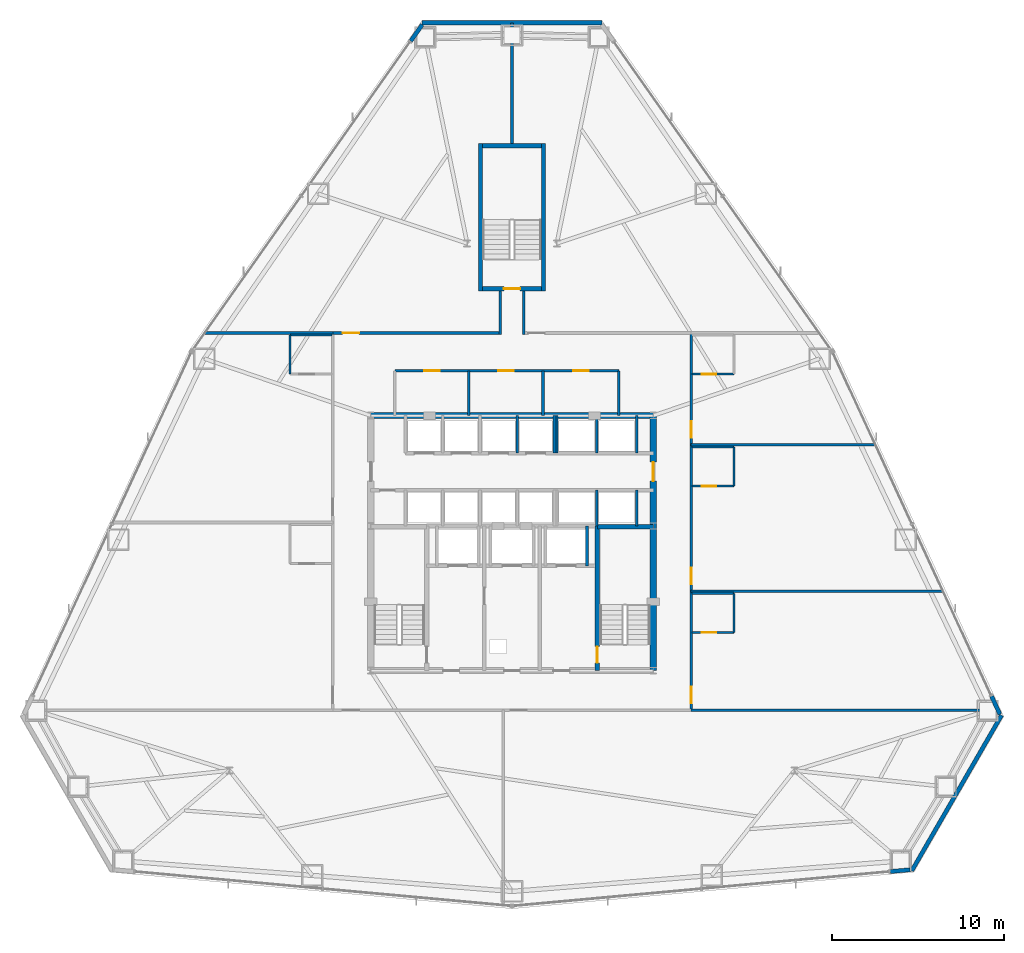
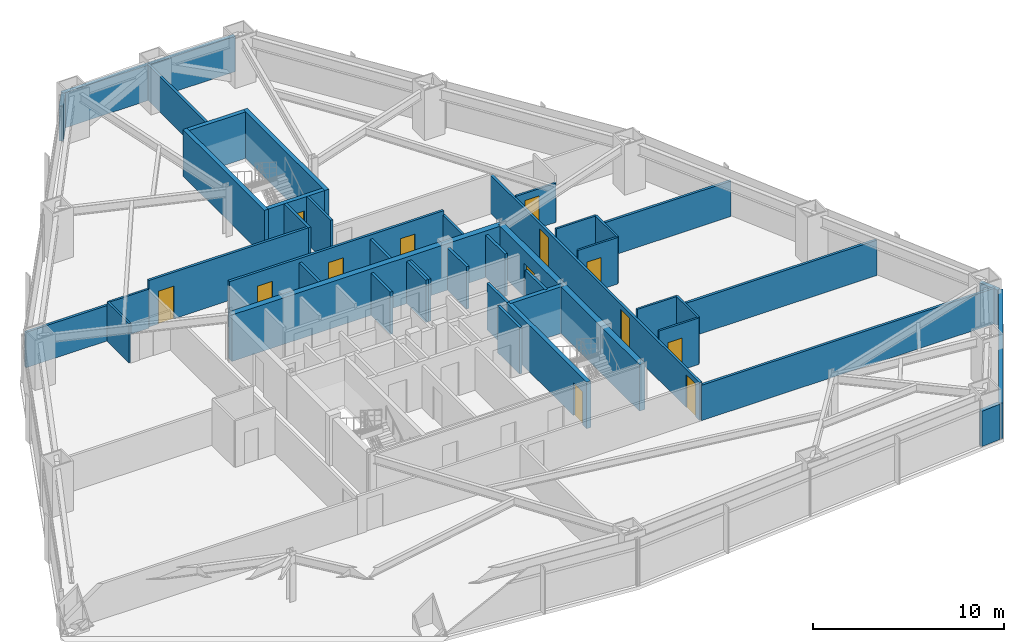
# One storey, part 10 of 12: 43 walls, 13 doors, 13 openings.
"""IFC4 building model written with IfcOpenShell, lengths in metres."""

from ifc_helpers import new_model, si_unit, direction, frame, frame_2d, origin, place, context, subcontext, project, spatial, rectangle, extrude, material, layer, layer_set, type_object, element, fill, save


model = new_model("IFC4")

# Units and contexts
model_context = context("Model", 3, precision=1e-05, world=origin(), true_north=direction((0.0, 1.0)))
body_context = subcontext(model_context, "Body", "Model", "MODEL_VIEW")
ifc_project = project(units=[si_unit("LENGTHUNIT", "METRE"), si_unit("AREAUNIT", "SQUARE_METRE"), si_unit("VOLUMEUNIT", "CUBIC_METRE"), si_unit("PLANEANGLEUNIT", "RADIAN"), si_unit("MASSUNIT", "GRAM", prefix="KILO")], contexts=[model_context])

# Site, building, storey
site_placement = place(None, origin())
site = spatial("IfcSite", under=ifc_project, at=site_placement, CompositionType="ELEMENT")
building_placement = place(site_placement, origin())
building = spatial("IfcBuilding", under=site, at=building_placement, Name="Varakhsha Concourse Tower", CompositionType="ELEMENT")
storey_placement = place(building_placement, frame((0.0, 0.0, 40.0)))
storey = spatial("IfcBuildingStorey", under=building, at=storey_placement, Name="L10", CompositionType="ELEMENT", Elevation=40.0)

# Wall
ifc_material_1 = material(Name="Concrete fc 65 MPa", Category="concrete")
ifc_layer_1 = layer(ifc_material_1, 0.35009765625, Name="WL-CORE-350")
ifc_layer_set_1 = layer_set([ifc_layer_1], Name="Concrete fc 65 MPa")
wall_type_1 = type_object("IfcWallType", Name="WL-CORE-350", PredefinedType="SHEAR", material=ifc_layer_set_1)
wall_1_placement = place(storey_placement, frame((31.800048828125, 31.199951171875, 0.0), z_axis=(0.0, 0.0, 1.0), x_axis=(1.0, 0.0, 0.0)))
element("IfcWall", 1, at=wall_1_placement, inside=storey, type_object=wall_type_1, Name="L10 Wall CWALL-N-L10", PredefinedType="SHEAR", context=body_context, shape_type="SweptSolid", body=[
    extrude(rectangle(XDim=16.39990234375, YDim=0.35009765625, at=frame_2d((8.199951171875, 0.0))), origin(), (0.0, 0.0, 1.0), 2.97998046875),
])

# Wall, opening, door
wall_2_placement = place(storey_placement, frame((48.199951171875, 16.39990234375, 0.0), z_axis=(0.0, 0.0, 1.0), x_axis=(0.0, 1.0, 0.0)))
wall_2 = element("IfcWall", 2, at=wall_2_placement, inside=storey, type_object=wall_type_1, Name="L10 Wall CWALL-E-L10", PredefinedType="SHEAR", context=body_context, shape_type="SweptSolid", body=[
    extrude(rectangle(XDim=14.800048828125, YDim=0.35009765625, at=frame_2d((7.39990234375, 0.0))), origin(), (0.0, 0.0, 1.0), 2.97998046875),
])
opening_1_placement = place(wall_2_placement, frame((11.0, 0.0, 0.0)))
opening_1 = element("IfcOpeningElement", 3, at=opening_1_placement, cuts=wall_2, Name="Opening DL-01", PredefinedType="OPENING", context=body_context, shape_type="SweptSolid", body=[
    extrude(rectangle(XDim=1.10009765625, YDim=2.14990234375, at=frame_2d((0.550048828125, 1.074951171875))), frame((0.0, 0.18505859375, 0.0), z_axis=(0.0, -1.0, 0.0), x_axis=(1.0, 0.0, 0.0)), (0.0, 0.0, 1.0), 0.3701171875),
])
ifc_material_2 = material(Name="Anodised Bronze Architectural Aluminium AA 6063-T6", Category="aluminium")
door_type_1 = type_object("IfcDoorType", Name="DR-LOB-1100", OperationType="NOTDEFINED", PredefinedType="DOOR", material=ifc_material_2)
door_1_placement = place(opening_1_placement, origin())
door_1 = element("IfcDoor", 4, at=door_1_placement, inside=storey, type_object=door_type_1, Name="L10 Lift Lobby East Concourse Door", OperationType="SINGLE_SWING_RIGHT", OverallHeight=2.14990234375, OverallWidth=1.10009765625, PredefinedType="DOOR", context=body_context, shape_type="SweptSolid", body=[
    extrude(rectangle(XDim=1.10009765625, YDim=2.14990234375, at=frame_2d((0.550048828125, 1.074951171875))), frame((0.0, 0.02490234375, 0.0), z_axis=(0.0, -1.0, 0.0), x_axis=(1.0, 0.0, 0.0)), (0.0, 0.0, 1.0), 0.050048828125),
])
fill(opening_1, door_1)

# Walls
ifc_material_3 = material(Name="Concrete fc 45 MPa", Category="concrete")
ifc_layer_2 = layer(ifc_material_3, 0.239990234375, Name="WL-EXT-CRN-240")
ifc_layer_set_2 = layer_set([ifc_layer_2], Name="Concrete fc 45 MPa")
wall_type_2 = type_object("IfcWallType", Name="WL-EXT-CRN-240", PredefinedType="SHEAR", material=ifc_layer_set_2)
wall_3_placement = place(storey_placement, frame((34.78564453125, 54.008544921875, 0.0), z_axis=(0.0, 0.0, 1.0), x_axis=(1.0, 0.0, 0.0)))
element("IfcWall", 5, at=wall_3_placement, inside=storey, type_object=wall_type_2, Name="L10 Chamfer Wind-Corner Insulated Wall F1", PredefinedType="SHEAR", context=body_context, shape_type="SweptSolid", body=[
    extrude(rectangle(XDim=10.4287109375, YDim=0.239990234375, at=frame_2d((5.21435546875, 0.0))), origin(), (0.0, 0.0, 1.0), 2.262939453125),
])
wall_4_placement = place(storey_placement, frame((34.78955078125, 53.896484375, 0.0), z_axis=(0.0, 0.0, 1.0), x_axis=(-0.576559495442, -0.817055168404, 0.0)))
element("IfcWall", 6, at=wall_4_placement, inside=storey, type_object=wall_type_2, Name="L10 Wind-Corner Shoulder Wall F2", PredefinedType="SHEAR", context=body_context, shape_type="SweptSolid", body=[
    extrude(rectangle(XDim=1.162353515625, YDim=0.239990234375, at=frame_2d((0.5810546875, 0.0))), origin(), (0.0, 0.0, 1.0), 2.262939453125),
])
wall_5_placement = place(storey_placement, frame((61.955078125, 4.73388671875, 0.0), z_axis=(0.0, 0.0, 1.0), x_axis=(0.995875974384, 0.090725099311, 0.0)))
element("IfcWall", 7, at=wall_5_placement, inside=storey, type_object=wall_type_2, Name="L10 Wind-Corner Shoulder Wall F6", PredefinedType="SHEAR", context=body_context, shape_type="SweptSolid", body=[
    extrude(rectangle(XDim=1.16259765625, YDim=0.239990234375, at=frame_2d((0.581298828125, 0.0))), origin(), (0.0, 0.0, 1.0), 2.262939453125),
])
wall_6_placement = place(storey_placement, frame((68.422119140625, 13.811279296875, 0.0), z_axis=(0.0, 0.0, 1.0), x_axis=(-0.500011568057, -0.866018724861, 0.0)))
element("IfcWall", 8, at=wall_6_placement, inside=storey, type_object=wall_type_2, Name="L10 Chamfer Wind-Corner Insulated Wall F7", PredefinedType="SHEAR", context=body_context, shape_type="SweptSolid", body=[
    extrude(rectangle(XDim=10.428466796875, YDim=0.239990234375, at=frame_2d((5.21435546875, 0.0))), origin(), (0.0, 0.0, 1.0), 2.262939453125),
])
wall_7_placement = place(storey_placement, frame((68.3232421875, 13.864013671875, 0.0), z_axis=(0.0, 0.0, 1.0), x_axis=(-0.419364442242, 0.907817968859, 0.0)))
element("IfcWall", 9, at=wall_7_placement, inside=storey, type_object=wall_type_2, Name="L10 Wind-Corner Shoulder Wall F8", PredefinedType="SHEAR", context=body_context, shape_type="SweptSolid", body=[
    extrude(rectangle(XDim=1.16259765625, YDim=0.239990234375, at=frame_2d((0.581298828125, 0.0))), origin(), (0.0, 0.0, 1.0), 2.262939453125),
])
ifc_material_4 = material(Name="Acoustic Gypsum Board Partition Assembly", Category="gypsum")
ifc_layer_3 = layer(ifc_material_4, 0.1201171875, Name="WL-PART-120")
ifc_layer_set_3 = layer_set([ifc_layer_3], Name="Acoustic Gypsum Board Partition Assembly")
wall_type_3 = type_object("IfcWallType", Name="WL-PART-120", PredefinedType="PARTITIONING", material=ifc_layer_set_3)
wall_8_placement = place(storey_placement, frame((27.110107421875, 33.610107421875, 0.0), z_axis=(0.0, 0.0, 1.0), x_axis=(0.0, 1.0, 0.0)))
element("IfcWall", 10, at=wall_8_placement, inside=storey, type_object=wall_type_3, Name="L10 Wall ENSW-W-L10-H04", PredefinedType="PARTITIONING", context=body_context, shape_type="SweptSolid", body=[
    extrude(rectangle(XDim=2.27978515625, YDim=0.1201171875, at=frame_2d((1.139892578125, 0.0))), origin(), (0.0, 0.0, 1.0), 2.512939453125),
])
wall_9_placement = place(storey_placement, frame((27.110107421875, 35.889892578125, 0.0), z_axis=(0.0, 0.0, 1.0), x_axis=(1.0, 0.0, 0.0)))
element("IfcWall", 11, at=wall_9_placement, inside=storey, type_object=wall_type_3, Name="L10 Wall ENSW-N-L10-H04", PredefinedType="PARTITIONING", context=body_context, shape_type="SweptSolid", body=[
    extrude(rectangle(XDim=2.429931640625, YDim=0.1201171875, at=frame_2d((1.21484375, 0.0))), origin(), (0.0, 0.0, 1.0), 2.512939453125),
])
wall_10_placement = place(storey_placement, frame((52.889892578125, 18.610107421875, 0.0), z_axis=(0.0, 0.0, 1.0), x_axis=(0.0, 1.0, 0.0)))
element("IfcWall", 12, at=wall_10_placement, inside=storey, type_object=wall_type_3, Name="L10 Wall ENSW-E-L10-H05", PredefinedType="PARTITIONING", context=body_context, shape_type="SweptSolid", body=[
    extrude(rectangle(XDim=2.27978515625, YDim=0.1201171875, at=frame_2d((1.139892578125, 0.0))), origin(), (0.0, 0.0, 1.0), 2.97998046875),
])

# Wall, opening, door
wall_11_placement = place(storey_placement, frame((50.4599609375, 18.610107421875, 0.0), z_axis=(0.0, 0.0, 1.0), x_axis=(1.0, 0.0, 0.0)))
wall_11 = element("IfcWall", 13, at=wall_11_placement, inside=storey, type_object=wall_type_3, Name="L10 Wall ENSW-S-L10-H05", PredefinedType="PARTITIONING", context=body_context, shape_type="SweptSolid", body=[
    extrude(rectangle(XDim=2.429931640625, YDim=0.1201171875, at=frame_2d((1.21484375, 0.0))), origin(), (0.0, 0.0, 1.0), 2.97998046875),
])
opening_2_placement = place(wall_11_placement, frame((0.550048828125, 0.0, 0.0)))
opening_2 = element("IfcOpeningElement", 14, at=opening_2_placement, cuts=wall_11, Name="Opening DI-01", PredefinedType="OPENING", context=body_context, shape_type="SweptSolid", body=[
    extrude(rectangle(XDim=0.85009765625, YDim=2.050048828125, at=frame_2d((0.425048828125, 1.02490234375))), frame((0.0, 0.070068359375, 0.0), z_axis=(0.0, -1.0, 0.0), x_axis=(1.0, 0.0, 0.0)), (0.0, 0.0, 1.0), 0.14013671875),
])
ifc_material_5 = material(Name="Architectural Walnut Acoustic Timber Door", Category="wood")
door_type_2 = type_object("IfcDoorType", Name="DR-INT-850", OperationType="NOTDEFINED", PredefinedType="DOOR", material=ifc_material_5)
door_2_placement = place(opening_2_placement, origin())
door_2 = element("IfcDoor", 15, at=door_2_placement, inside=storey, type_object=door_type_2, Name="L10 En-suite Bathroom Door L10-H05", OperationType="SINGLE_SWING_RIGHT", OverallHeight=2.050048828125, OverallWidth=0.85009765625, PredefinedType="DOOR", context=body_context, shape_type="SweptSolid", body=[
    extrude(rectangle(XDim=0.85009765625, YDim=2.050048828125, at=frame_2d((0.425048828125, 1.02490234375))), frame((0.0, 0.02490234375, 0.0), z_axis=(0.0, -1.0, 0.0), x_axis=(1.0, 0.0, 0.0)), (0.0, 0.0, 1.0), 0.050048828125),
])
fill(opening_2, door_2)

# Walls
wall_12_placement = place(storey_placement, frame((50.4599609375, 20.889892578125, 0.0), z_axis=(0.0, 0.0, 1.0), x_axis=(1.0, 0.0, 0.0)))
element("IfcWall", 16, at=wall_12_placement, inside=storey, type_object=wall_type_3, Name="L10 Wall ENSW-N-L10-H05", PredefinedType="PARTITIONING", context=body_context, shape_type="SweptSolid", body=[
    extrude(rectangle(XDim=2.429931640625, YDim=0.1201171875, at=frame_2d((1.21484375, 0.0))), origin(), (0.0, 0.0, 1.0), 2.97998046875),
])
wall_13_placement = place(storey_placement, frame((52.889892578125, 27.110107421875, 0.0), z_axis=(0.0, 0.0, 1.0), x_axis=(0.0, 1.0, 0.0)))
element("IfcWall", 17, at=wall_13_placement, inside=storey, type_object=wall_type_3, Name="L10 Wall ENSW-E-L10-H06", PredefinedType="PARTITIONING", context=body_context, shape_type="SweptSolid", body=[
    extrude(rectangle(XDim=2.27978515625, YDim=0.1201171875, at=frame_2d((1.139892578125, 0.0))), origin(), (0.0, 0.0, 1.0), 2.97998046875),
])

# Wall, opening, door
wall_14_placement = place(storey_placement, frame((50.4599609375, 27.110107421875, 0.0), z_axis=(0.0, 0.0, 1.0), x_axis=(1.0, 0.0, 0.0)))
wall_14 = element("IfcWall", 18, at=wall_14_placement, inside=storey, type_object=wall_type_3, Name="L10 Wall ENSW-S-L10-H06", PredefinedType="PARTITIONING", context=body_context, shape_type="SweptSolid", body=[
    extrude(rectangle(XDim=2.429931640625, YDim=0.1201171875, at=frame_2d((1.21484375, 0.0))), origin(), (0.0, 0.0, 1.0), 2.97998046875),
])
opening_3_placement = place(wall_14_placement, frame((0.550048828125, 0.0, 0.0)))
opening_3 = element("IfcOpeningElement", 19, at=opening_3_placement, cuts=wall_14, Name="Opening DI-01", PredefinedType="OPENING", context=body_context, shape_type="SweptSolid", body=[
    extrude(rectangle(XDim=0.85009765625, YDim=2.050048828125, at=frame_2d((0.425048828125, 1.02490234375))), frame((0.0, 0.070068359375, 0.0), z_axis=(0.0, -1.0, 0.0), x_axis=(1.0, 0.0, 0.0)), (0.0, 0.0, 1.0), 0.14013671875),
])
door_3_placement = place(opening_3_placement, origin())
door_3 = element("IfcDoor", 20, at=door_3_placement, inside=storey, type_object=door_type_2, Name="L10 En-suite Bathroom Door L10-H06", OperationType="SINGLE_SWING_RIGHT", OverallHeight=2.050048828125, OverallWidth=0.85009765625, PredefinedType="DOOR", context=body_context, shape_type="SweptSolid", body=[
    extrude(rectangle(XDim=0.85009765625, YDim=2.050048828125, at=frame_2d((0.425048828125, 1.02490234375))), frame((0.0, 0.02490234375, 0.0), z_axis=(0.0, -1.0, 0.0), x_axis=(1.0, 0.0, 0.0)), (0.0, 0.0, 1.0), 0.050048828125),
])
fill(opening_3, door_3)

# Wall
wall_15_placement = place(storey_placement, frame((50.4599609375, 29.389892578125, 0.0), z_axis=(0.0, 0.0, 1.0), x_axis=(1.0, 0.0, 0.0)))
element("IfcWall", 21, at=wall_15_placement, inside=storey, type_object=wall_type_3, Name="L10 Wall ENSW-N-L10-H06", PredefinedType="PARTITIONING", context=body_context, shape_type="SweptSolid", body=[
    extrude(rectangle(XDim=2.429931640625, YDim=0.1201171875, at=frame_2d((1.21484375, 0.0))), origin(), (0.0, 0.0, 1.0), 2.97998046875),
])

# Wall, opening, door
wall_16_placement = place(storey_placement, frame((50.4599609375, 33.610107421875, 0.0), z_axis=(0.0, 0.0, 1.0), x_axis=(1.0, 0.0, 0.0)))
wall_16 = element("IfcWall", 22, at=wall_16_placement, inside=storey, type_object=wall_type_3, Name="L10 Wall ENSW-S-L10-H07", PredefinedType="PARTITIONING", context=body_context, shape_type="SweptSolid", body=[
    extrude(rectangle(XDim=2.429931640625, YDim=0.1201171875, at=frame_2d((1.21484375, 0.0))), origin(), (0.0, 0.0, 1.0), 2.512939453125),
])
opening_4_placement = place(wall_16_placement, frame((0.550048828125, 0.0, 0.0)))
opening_4 = element("IfcOpeningElement", 23, at=opening_4_placement, cuts=wall_16, Name="Opening DI-01", PredefinedType="OPENING", context=body_context, shape_type="SweptSolid", body=[
    extrude(rectangle(XDim=0.85009765625, YDim=2.050048828125, at=frame_2d((0.425048828125, 1.02490234375))), frame((0.0, 0.070068359375, 0.0), z_axis=(0.0, -1.0, 0.0), x_axis=(1.0, 0.0, 0.0)), (0.0, 0.0, 1.0), 0.14013671875),
])
door_4_placement = place(opening_4_placement, origin())
door_4 = element("IfcDoor", 24, at=door_4_placement, inside=storey, type_object=door_type_2, Name="L10 En-suite Bathroom Door L10-H07", OperationType="SINGLE_SWING_RIGHT", OverallHeight=2.050048828125, OverallWidth=0.85009765625, PredefinedType="DOOR", context=body_context, shape_type="SweptSolid", body=[
    extrude(rectangle(XDim=0.85009765625, YDim=2.050048828125, at=frame_2d((0.425048828125, 1.02490234375))), frame((0.0, 0.02490234375, 0.0), z_axis=(0.0, -1.0, 0.0), x_axis=(1.0, 0.0, 0.0)), (0.0, 0.0, 1.0), 0.050048828125),
])
fill(opening_4, door_4)

# Wall, openings, doors
ifc_material_6 = material(Name="Fire-Rated Type X Gypsum Partition Assembly", Category="gypsum")
ifc_layer_4 = layer(ifc_material_6, 0.14990234375, Name="WL-PART-150")
ifc_layer_set_4 = layer_set([ifc_layer_4], Name="Fire-Rated Type X Gypsum Partition Assembly")
wall_type_4 = type_object("IfcWallType", Name="WL-PART-150", PredefinedType="PARTITIONING", material=ifc_layer_set_4)
wall_17_placement = place(storey_placement, frame((33.199951171875, 33.800048828125, 0.0), z_axis=(0.0, 0.0, 1.0), x_axis=(1.0, 0.0, 0.0)))
wall_17 = element("IfcWall", 25, at=wall_17_placement, inside=storey, type_object=wall_type_4, Name="L10 Wall NBOH-N-L10", PredefinedType="PARTITIONING", context=body_context, shape_type="SweptSolid", body=[
    extrude(rectangle(XDim=13.0, YDim=0.14990234375, at=frame_2d((6.5, 0.0))), origin(), (0.0, 0.0, 1.0), 2.97998046875),
])
opening_5_placement = place(wall_17_placement, frame((1.699951171875, 0.0, 0.0)))
opening_5 = element("IfcOpeningElement", 26, at=opening_5_placement, cuts=wall_17, Name="Opening DF-06", PredefinedType="OPENING", context=body_context, shape_type="SweptSolid", body=[
    extrude(rectangle(XDim=0.89990234375, YDim=2.10009765625, at=frame_2d((0.449951171875, 1.050048828125))), frame((0.0, 0.0849609375, 0.0), z_axis=(0.0, -1.0, 0.0), x_axis=(1.0, 0.0, 0.0)), (0.0, 0.0, 1.0), 0.169921875),
])
opening_6_placement = place(wall_17_placement, frame((6.0, 0.0, 0.0)))
opening_6 = element("IfcOpeningElement", 27, at=opening_6_placement, cuts=wall_17, Name="Opening DF-06", PredefinedType="OPENING", context=body_context, shape_type="SweptSolid", body=[
    extrude(rectangle(XDim=0.89990234375, YDim=2.10009765625, at=frame_2d((0.449951171875, 1.050048828125))), frame((0.0, 0.0849609375, 0.0), z_axis=(0.0, -1.0, 0.0), x_axis=(1.0, 0.0, 0.0)), (0.0, 0.0, 1.0), 0.169921875),
])
opening_7_placement = place(wall_17_placement, frame((10.35009765625, 0.0, 0.0)))
opening_7 = element("IfcOpeningElement", 28, at=opening_7_placement, cuts=wall_17, Name="Opening DF-06", PredefinedType="OPENING", context=body_context, shape_type="SweptSolid", body=[
    extrude(rectangle(XDim=0.89990234375, YDim=2.10009765625, at=frame_2d((0.449951171875, 1.050048828125))), frame((0.0, 0.0849609375, 0.0), z_axis=(0.0, -1.0, 0.0), x_axis=(1.0, 0.0, 0.0)), (0.0, 0.0, 1.0), 0.169921875),
])
ifc_material_7 = material(Name="Hollow Galvanised Steel Fire Door Assembly", Category="steel")
door_type_3 = type_object("IfcDoorType", Name="DR-FD60-900", OperationType="NOTDEFINED", PredefinedType="DOOR", material=ifc_material_7)
door_5_placement = place(opening_5_placement, origin())
door_5 = element("IfcDoor", 29, at=door_5_placement, inside=storey, type_object=door_type_3, Name="L10 Housekeeping and Linen Room Door", OperationType="SINGLE_SWING_LEFT", OverallHeight=2.10009765625, OverallWidth=0.89990234375, PredefinedType="DOOR", context=body_context, shape_type="SweptSolid", body=[
    extrude(rectangle(XDim=0.89990234375, YDim=2.10009765625, at=frame_2d((0.449951171875, 1.050048828125))), frame((0.0, 0.02490234375, 0.0), z_axis=(0.0, -1.0, 0.0), x_axis=(1.0, 0.0, 0.0)), (0.0, 0.0, 1.0), 0.050048828125),
])
fill(opening_5, door_5)
door_6_placement = place(opening_6_placement, origin())
door_6 = element("IfcDoor", 30, at=door_6_placement, inside=storey, type_object=door_type_3, Name="L10 Accessible WC Door", OperationType="SINGLE_SWING_RIGHT", OverallHeight=2.10009765625, OverallWidth=0.89990234375, PredefinedType="DOOR", context=body_context, shape_type="SweptSolid", body=[
    extrude(rectangle(XDim=0.89990234375, YDim=2.10009765625, at=frame_2d((0.449951171875, 1.050048828125))), frame((0.0, 0.02490234375, 0.0), z_axis=(0.0, -1.0, 0.0), x_axis=(1.0, 0.0, 0.0)), (0.0, 0.0, 1.0), 0.050048828125),
])
fill(opening_6, door_6)
door_7_placement = place(opening_7_placement, origin())
door_7 = element("IfcDoor", 31, at=door_7_placement, inside=storey, type_object=door_type_3, Name="L10 Staff Restroom WC Door", OperationType="SINGLE_SWING_LEFT", OverallHeight=2.10009765625, OverallWidth=0.89990234375, PredefinedType="DOOR", context=body_context, shape_type="SweptSolid", body=[
    extrude(rectangle(XDim=0.89990234375, YDim=2.10009765625, at=frame_2d((0.449951171875, 1.050048828125))), frame((0.0, 0.02490234375, 0.0), z_axis=(0.0, -1.0, 0.0), x_axis=(1.0, 0.0, 0.0)), (0.0, 0.0, 1.0), 0.050048828125),
])
fill(opening_7, door_7)

# Walls
for number, where, z_axis, x_axis, name in (
    (32, (46.199951171875, 31.199951171875, 0.0), (0.0, 0.0, 1.0), (0.0, 1.0, 0.0), "L10 Wall NBOH-E-L10"),
    (33, (37.5, 31.199951171875, 0.0), (0.0, 0.0, 1.0), (0.0, 1.0, 0.0), "L10 Wall NBOH-D1-L10"),
    (34, (41.800048828125, 31.199951171875, 0.0), (0.0, 0.0, 1.0), (0.0, 1.0, 0.0), "L10 Wall NBOH-D2-L10"),
):
    element("IfcWall", number, at=place(storey_placement, frame(where, z_axis=z_axis, x_axis=x_axis)), inside=storey, type_object=wall_type_4, Name=name, PredefinedType="PARTITIONING", context=body_context, shape_type="SweptSolid", body=[
        extrude(rectangle(XDim=2.60009765625, YDim=0.14990234375, at=frame_2d((1.300048828125, 0.0))), origin(), (0.0, 0.0, 1.0), 2.7080078125),
    ])

# Wall, opening, door
wall_18_placement = place(storey_placement, frame((29.60009765625, 36.0, 0.0), z_axis=(0.0, 0.0, 1.0), x_axis=(1.0, 0.0, 0.0)))
wall_18 = element("IfcWall", 35, at=wall_18_placement, inside=storey, type_object=wall_type_4, Name="L10 Wall CRW-N-L10", PredefinedType="PARTITIONING", context=body_context, shape_type="SweptSolid", body=[
    extrude(rectangle(XDim=9.64990234375, YDim=0.14990234375, at=frame_2d((4.824951171875, 0.0))), origin(), (0.0, 0.0, 1.0), 2.97998046875),
])
opening_8_placement = place(wall_18_placement, frame((0.570068359375, 0.0, 0.0)))
opening_8 = element("IfcOpeningElement", 36, at=opening_8_placement, cuts=wall_18, Name="Opening DF-05", PredefinedType="OPENING", context=body_context, shape_type="SweptSolid", body=[
    extrude(rectangle(XDim=0.949951171875, YDim=2.10009765625, at=frame_2d((0.47509765625, 1.050048828125))), frame((0.0, 0.0849609375, 0.0), z_axis=(0.0, -1.0, 0.0), x_axis=(1.0, 0.0, 0.0)), (0.0, 0.0, 1.0), 0.169921875),
])
door_type_4 = type_object("IfcDoorType", Name="DR-FD60-950", OperationType="NOTDEFINED", PredefinedType="DOOR", material=ifc_material_7)
door_8_placement = place(opening_8_placement, origin())
door_8 = element("IfcDoor", 37, at=door_8_placement, inside=storey, type_object=door_type_4, Name="L10 Hotel Executive Salon L10-H08 Door", OperationType="SINGLE_SWING_RIGHT", OverallHeight=2.10009765625, OverallWidth=0.949951171875, PredefinedType="DOOR", context=body_context, shape_type="SweptSolid", body=[
    extrude(rectangle(XDim=0.949951171875, YDim=2.10009765625, at=frame_2d((0.47509765625, 1.050048828125))), frame((0.0, 0.02490234375, 0.0), z_axis=(0.0, -1.0, 0.0), x_axis=(1.0, 0.0, 0.0)), (0.0, 0.0, 1.0), 0.050048828125),
])
fill(opening_8, door_8)

# Wall, openings, doors
wall_19_placement = place(storey_placement, frame((50.39990234375, 14.10009765625, 0.0), z_axis=(0.0, 0.0, 1.0), x_axis=(0.0, 1.0, 0.0)))
wall_19 = element("IfcWall", 38, at=wall_19_placement, inside=storey, type_object=wall_type_4, Name="L10 Wall CRW-E-L10", PredefinedType="PARTITIONING", context=body_context, shape_type="SweptSolid", body=[
    extrude(rectangle(XDim=21.89990234375, YDim=0.14990234375, at=frame_2d((10.949951171875, 0.0))), origin(), (0.0, 0.0, 1.0), 2.430908203125),
])
opening_9_placement = place(wall_19_placement, frame((0.419921875, 0.0, 0.0)))
opening_9 = element("IfcOpeningElement", 39, at=opening_9_placement, cuts=wall_19, Name="Opening DF-05", PredefinedType="OPENING", context=body_context, shape_type="SweptSolid", body=[
    extrude(rectangle(XDim=0.949951171875, YDim=2.10009765625, at=frame_2d((0.47509765625, 1.050048828125))), frame((0.0, 0.0849609375, 0.0), z_axis=(0.0, -1.0, 0.0), x_axis=(1.0, 0.0, 0.0)), (0.0, 0.0, 1.0), 0.169921875),
])
opening_10_placement = place(wall_19_placement, frame((7.320068359375, 0.0, 0.0)))
opening_10 = element("IfcOpeningElement", 40, at=opening_10_placement, cuts=wall_19, Name="Opening DF-05", PredefinedType="OPENING", context=body_context, shape_type="SweptSolid", body=[
    extrude(rectangle(XDim=0.949951171875, YDim=2.10009765625, at=frame_2d((0.47509765625, 1.050048828125))), frame((0.0, 0.0849609375, 0.0), z_axis=(0.0, -1.0, 0.0), x_axis=(1.0, 0.0, 0.0)), (0.0, 0.0, 1.0), 0.169921875),
])
opening_11_placement = place(wall_19_placement, frame((15.820068359375, 0.0, 0.0)))
opening_11 = element("IfcOpeningElement", 41, at=opening_11_placement, cuts=wall_19, Name="Opening DF-05", PredefinedType="OPENING", context=body_context, shape_type="SweptSolid", body=[
    extrude(rectangle(XDim=0.949951171875, YDim=2.10009765625, at=frame_2d((0.47509765625, 1.050048828125))), frame((0.0, 0.0849609375, 0.0), z_axis=(0.0, -1.0, 0.0), x_axis=(1.0, 0.0, 0.0)), (0.0, 0.0, 1.0), 0.169921875),
])
door_9_placement = place(opening_9_placement, origin())
door_9 = element("IfcDoor", 42, at=door_9_placement, inside=storey, type_object=door_type_4, Name="L10 Hotel Corner Suite L10-H05 Entry Door", OperationType="SINGLE_SWING_LEFT", OverallHeight=2.10009765625, OverallWidth=0.949951171875, PredefinedType="DOOR", context=body_context, shape_type="SweptSolid", body=[
    extrude(rectangle(XDim=0.949951171875, YDim=2.10009765625, at=frame_2d((0.47509765625, 1.050048828125))), frame((0.0, 0.02490234375, 0.0), z_axis=(0.0, -1.0, 0.0), x_axis=(1.0, 0.0, 0.0)), (0.0, 0.0, 1.0), 0.050048828125),
])
fill(opening_9, door_9)
door_10_placement = place(opening_10_placement, origin())
door_10 = element("IfcDoor", 43, at=door_10_placement, inside=storey, type_object=door_type_4, Name="L10 Hotel Corner Suite L10-H06 Entry Door", OperationType="SINGLE_SWING_RIGHT", OverallHeight=2.10009765625, OverallWidth=0.949951171875, PredefinedType="DOOR", context=body_context, shape_type="SweptSolid", body=[
    extrude(rectangle(XDim=0.949951171875, YDim=2.10009765625, at=frame_2d((0.47509765625, 1.050048828125))), frame((0.0, 0.02490234375, 0.0), z_axis=(0.0, -1.0, 0.0), x_axis=(1.0, 0.0, 0.0)), (0.0, 0.0, 1.0), 0.050048828125),
])
fill(opening_10, door_10)
door_11_placement = place(opening_11_placement, origin())
door_11 = element("IfcDoor", 44, at=door_11_placement, inside=storey, type_object=door_type_4, Name="L10 Hotel Corner Suite L10-H07 Entry Door", OperationType="SINGLE_SWING_LEFT", OverallHeight=2.10009765625, OverallWidth=0.949951171875, PredefinedType="DOOR", context=body_context, shape_type="SweptSolid", body=[
    extrude(rectangle(XDim=0.949951171875, YDim=2.10009765625, at=frame_2d((0.47509765625, 1.050048828125))), frame((0.0, 0.02490234375, 0.0), z_axis=(0.0, -1.0, 0.0), x_axis=(1.0, 0.0, 0.0)), (0.0, 0.0, 1.0), 0.050048828125),
])
fill(opening_11, door_11)

# Walls
wall_20_placement = place(storey_placement, frame((22.165771484375, 36.0, 0.0), z_axis=(0.0, 0.0, 1.0), x_axis=(1.0, 0.0, 0.0)))
element("IfcWall", 45, at=wall_20_placement, inside=storey, type_object=wall_type_4, Name="L10 Wall HDIV-WBN-L10", PredefinedType="PARTITIONING", context=body_context, shape_type="SweptSolid", body=[
    extrude(rectangle(XDim=7.434326171875, YDim=0.14990234375, at=frame_2d((3.71728515625, 0.0))), origin(), (0.0, 0.0, 1.0), 2.26806640625),
])
wall_21_placement = place(storey_placement, frame((50.39990234375, 14.10009765625, 0.0), z_axis=(0.0, 0.0, 1.0), x_axis=(1.0, 0.0, 0.0)))
element("IfcWall", 46, at=wall_21_placement, inside=storey, type_object=wall_type_4, Name="L10 Wall HDIV-EB0-L10", PredefinedType="PARTITIONING", context=body_context, shape_type="SweptSolid", body=[
    extrude(rectangle(XDim=17.808837890625, YDim=0.14990234375, at=frame_2d((8.904296875, 0.0))), origin(), (0.0, 0.0, 1.0), 2.26806640625),
])
wall_22_placement = place(storey_placement, frame((50.39990234375, 21.0, 0.0), z_axis=(0.0, 0.0, 1.0), x_axis=(1.0, 0.0, 0.0)))
element("IfcWall", 47, at=wall_22_placement, inside=storey, type_object=wall_type_4, Name="L10 Wall HDIV-E1-L10", PredefinedType="PARTITIONING", context=body_context, shape_type="SweptSolid", body=[
    extrude(rectangle(XDim=14.622314453125, YDim=0.14990234375, at=frame_2d((7.31103515625, 0.0))), origin(), (0.0, 0.0, 1.0), 2.26806640625),
])
wall_23_placement = place(storey_placement, frame((50.39990234375, 29.5, 0.0), z_axis=(0.0, 0.0, 1.0), x_axis=(1.0, 0.0, 0.0)))
element("IfcWall", 48, at=wall_23_placement, inside=storey, type_object=wall_type_4, Name="L10 Wall HDIV-E2-L10", PredefinedType="PARTITIONING", context=body_context, shape_type="SweptSolid", body=[
    extrude(rectangle(XDim=10.69677734375, YDim=0.14990234375, at=frame_2d((5.348388671875, 0.0))), origin(), (0.0, 0.0, 1.0), 2.26806640625),
])
wall_24_placement = place(storey_placement, frame((40.0, 47.0, 0.0), z_axis=(0.0, 0.0, 1.0), x_axis=(0.0, 1.0, 0.0)))
element("IfcWall", 49, at=wall_24_placement, inside=storey, type_object=wall_type_4, Name="L10 Wall HDIV-N1-L10", PredefinedType="PARTITIONING", context=body_context, shape_type="SweptSolid", body=[
    extrude(rectangle(XDim=7.003662109375, YDim=0.14990234375, at=frame_2d((3.501953125, 0.0))), origin(), (0.0, 0.0, 1.0), 2.26806640625),
])
for number, where, z_axis, x_axis, name in (
    (50, (39.324951171875, 35.925048828125, 0.0), (0.0, 0.0, 1.0), (0.0, 1.0, 0.0), "L10 Wall STUB-W-L10"),
    (51, (40.675048828125, 35.925048828125, 0.0), (0.0, 0.0, 1.0), (0.0, 1.0, 0.0), "L10 Wall STUB-E-L10"),
):
    element("IfcWall", number, at=place(storey_placement, frame(where, z_axis=z_axis, x_axis=x_axis)), inside=storey, type_object=wall_type_4, Name=name, PredefinedType="PARTITIONING", context=body_context, shape_type="SweptSolid", body=[
        extrude(rectangle(XDim=2.52490234375, YDim=0.14990234375, at=frame_2d((1.262451171875, 0.0))), origin(), (0.0, 0.0, 1.0), 2.97998046875),
    ])
ifc_layer_5 = layer(ifc_material_6, 0.199951171875, Name="WL-SHAFT-220")
ifc_layer_set_5 = layer_set([ifc_layer_5], Name="Fire-Rated Type X Gypsum Partition Assembly")
wall_type_5 = type_object("IfcWallType", Name="WL-SHAFT-220", PredefinedType="SOLIDWALL", material=ifc_layer_set_5)
wall_25_placement = place(storey_placement, frame((44.35009765625, 22.47998046875, 0.0), z_axis=(0.0, 0.0, 1.0), x_axis=(0.0, 1.0, 0.0)))
element("IfcWall", 52, at=wall_25_placement, inside=storey, type_object=wall_type_5, Name="L10 Wall SHW-FFL-2-E-L10", PredefinedType="SOLIDWALL", context=body_context, shape_type="SweptSolid", body=[
    extrude(rectangle(XDim=2.320068359375, YDim=0.159912109375, at=frame_2d((1.16015625, 0.0))), origin(), (0.0, 0.0, 1.0), 2.97998046875),
])
for number, where, z_axis, x_axis, name in (
    (53, (40.300048828125, 29.02001953125, 0.0), (0.0, 0.0, 1.0), (0.0, 1.0, 0.0), "L10 Wall SHW-LF-P03-E-L10"),
    (54, (42.4599609375, 29.02001953125, 0.0), (0.0, 0.0, 1.0), (0.0, 1.0, 0.0), "L10 Wall SHW-LF-P04-E-L10"),
    (55, (42.60009765625, 29.02001953125, 0.0), (0.0, 0.0, 1.0), (0.0, 1.0, 0.0), "L10 Wall SHW-LF-P09-W-L10"),
    (56, (44.919921875, 29.02001953125, 0.0), (0.0, 0.0, 1.0), (0.0, 1.0, 0.0), "L10 Wall SHW-LF-P09-E-L10"),
    (57, (47.239990234375, 29.02001953125, 0.0), (0.0, 0.0, 1.0), (0.0, 1.0, 0.0), "L10 Wall SHW-LF-P10-E-L10"),
):
    element("IfcWall", number, at=place(storey_placement, frame(where, z_axis=z_axis, x_axis=x_axis)), inside=storey, type_object=wall_type_5, Name=name, PredefinedType="SOLIDWALL", context=body_context, shape_type="SweptSolid", body=[
        extrude(rectangle(XDim=2.179931640625, YDim=0.159912109375, at=frame_2d((1.08984375, 0.0))), origin(), (0.0, 0.0, 1.0), 2.7080078125),
    ])
for number, where, z_axis, x_axis, name in (
    (58, (44.919921875, 24.800048828125, 0.0), (0.0, 0.0, 1.0), (0.0, 1.0, 0.0), "L10 Wall SHW-LF-P11-E-L10"),
    (59, (47.239990234375, 24.800048828125, 0.0), (0.0, 0.0, 1.0), (0.0, 1.0, 0.0), "L10 Wall SHW-LF-P12-E-L10"),
):
    element("IfcWall", number, at=place(storey_placement, frame(where, z_axis=z_axis, x_axis=x_axis)), inside=storey, type_object=wall_type_5, Name=name, PredefinedType="SOLIDWALL", context=body_context, shape_type="SweptSolid", body=[
        extrude(rectangle(XDim=2.079833984375, YDim=0.159912109375, at=frame_2d((1.0400390625, 0.0))), origin(), (0.0, 0.0, 1.0), 2.97998046875),
    ])

# Wall, opening, door
ifc_layer_6 = layer(ifc_material_3, 0.25, Name="WL-STAIR-250")
ifc_layer_set_6 = layer_set([ifc_layer_6], Name="Concrete fc 45 MPa")
wall_type_6 = type_object("IfcWallType", Name="WL-STAIR-250", PredefinedType="SHEAR", material=ifc_layer_set_6)
wall_26_placement = place(storey_placement, frame((44.955078125, 16.39990234375, 0.0), z_axis=(0.0, 0.0, 1.0), x_axis=(0.0, 1.0, 0.0)))
wall_26 = element("IfcWall", 60, at=wall_26_placement, inside=storey, type_object=wall_type_6, Name="L10 Wall SWALL-ST2-W-L10", PredefinedType="SHEAR", context=body_context, shape_type="SweptSolid", body=[
    extrude(rectangle(XDim=8.400146484375, YDim=0.25, at=frame_2d((4.2001953125, 0.0))), origin(), (0.0, 0.0, 1.0), 2.97998046875),
])
opening_12_placement = place(wall_26_placement, frame((0.449951171875, 0.0, 0.0)))
opening_12 = element("IfcOpeningElement", 61, at=opening_12_placement, cuts=wall_26, Name="Opening DF-03", PredefinedType="OPENING", context=body_context, shape_type="SweptSolid", body=[
    extrude(rectangle(XDim=0.949951171875, YDim=2.10009765625, at=frame_2d((0.47509765625, 1.050048828125))), frame((0.0, 0.135009765625, 0.0), z_axis=(0.0, -1.0, 0.0), x_axis=(1.0, 0.0, 0.0)), (0.0, 0.0, 1.0), 0.27001953125),
])
door_type_5 = type_object("IfcDoorType", Name="DR-FD90-950", OperationType="NOTDEFINED", PredefinedType="DOOR", material=ifc_material_7)
door_12_placement = place(opening_12_placement, origin())
door_12 = element("IfcDoor", 62, at=door_12_placement, inside=storey, type_object=door_type_5, Name="L10 Stair ST2 Fire Door", OperationType="SINGLE_SWING_RIGHT", OverallHeight=2.10009765625, OverallWidth=0.949951171875, PredefinedType="DOOR", context=body_context, shape_type="SweptSolid", body=[
    extrude(rectangle(XDim=0.949951171875, YDim=2.10009765625, at=frame_2d((0.47509765625, 1.050048828125))), frame((0.0, 0.02490234375, 0.0), z_axis=(0.0, -1.0, 0.0), x_axis=(1.0, 0.0, 0.0)), (0.0, 0.0, 1.0), 0.050048828125),
])
fill(opening_12, door_12)

# Walls
wall_27_placement = place(storey_placement, frame((44.955078125, 24.7548828125, 0.0), z_axis=(0.0, 0.0, 1.0), x_axis=(1.0, 0.0, 0.0)))
element("IfcWall", 63, at=wall_27_placement, inside=storey, type_object=wall_type_6, Name="L10 Wall SWALL-ST2-N-L10", PredefinedType="SHEAR", context=body_context, shape_type="SweptSolid", body=[
    extrude(rectangle(XDim=3.244873046875, YDim=0.25, at=frame_2d((1.62255859375, 0.0))), origin(), (0.0, 0.0, 1.0), 2.97998046875),
])
for number, where, z_axis, x_axis, name in (
    (64, (38.175048828125, 38.449951171875, 0.0), (0.0, 0.0, 1.0), (0.0, 1.0, 0.0), "L10 Wall SWALL-ST5-W-L10"),
    (65, (41.824951171875, 38.449951171875, 0.0), (0.0, 0.0, 1.0), (0.0, 1.0, 0.0), "L10 Wall SWALL-ST5-E-L10"),
):
    element("IfcWall", number, at=place(storey_placement, frame(where, z_axis=z_axis, x_axis=x_axis)), inside=storey, type_object=wall_type_6, Name=name, PredefinedType="SHEAR", context=body_context, shape_type="SweptSolid", body=[
        extrude(rectangle(XDim=8.550048828125, YDim=0.25, at=frame_2d((4.27490234375, 0.0))), origin(), (0.0, 0.0, 1.0), 2.97998046875),
    ])

# Wall, opening, door
wall_28_placement = place(storey_placement, frame((38.300048828125, 38.574951171875, 0.0), z_axis=(0.0, 0.0, 1.0), x_axis=(1.0, 0.0, 0.0)))
wall_28 = element("IfcWall", 66, at=wall_28_placement, inside=storey, type_object=wall_type_6, Name="L10 Wall SWALL-ST5-S-L10", PredefinedType="SHEAR", context=body_context, shape_type="SweptSolid", body=[
    extrude(rectangle(XDim=3.39990234375, YDim=0.25, at=frame_2d((1.699951171875, 0.0))), origin(), (0.0, 0.0, 1.0), 2.97998046875),
])
opening_13_placement = place(wall_28_placement, frame((1.22509765625, 0.0, 0.0)))
opening_13 = element("IfcOpeningElement", 67, at=opening_13_placement, cuts=wall_28, Name="Opening DF-03", PredefinedType="OPENING", context=body_context, shape_type="SweptSolid", body=[
    extrude(rectangle(XDim=0.949951171875, YDim=2.10009765625, at=frame_2d((0.47509765625, 1.050048828125))), frame((0.0, 0.135009765625, 0.0), z_axis=(0.0, -1.0, 0.0), x_axis=(1.0, 0.0, 0.0)), (0.0, 0.0, 1.0), 0.27001953125),
])
door_13_placement = place(opening_13_placement, origin())
door_13 = element("IfcDoor", 68, at=door_13_placement, inside=storey, type_object=door_type_5, Name="L10 Stair ST5 Fire Door", OperationType="SINGLE_SWING_RIGHT", OverallHeight=2.10009765625, OverallWidth=0.949951171875, PredefinedType="DOOR", context=body_context, shape_type="SweptSolid", body=[
    extrude(rectangle(XDim=0.949951171875, YDim=2.10009765625, at=frame_2d((0.47509765625, 1.050048828125))), frame((0.0, 0.02490234375, 0.0), z_axis=(0.0, -1.0, 0.0), x_axis=(1.0, 0.0, 0.0)), (0.0, 0.0, 1.0), 0.050048828125),
])
fill(opening_13, door_13)

# Wall
wall_29_placement = place(storey_placement, frame((38.300048828125, 46.875, 0.0), z_axis=(0.0, 0.0, 1.0), x_axis=(1.0, 0.0, 0.0)))
element("IfcWall", 69, at=wall_29_placement, inside=storey, type_object=wall_type_6, Name="L10 Wall SWALL-ST5-N-L10", PredefinedType="SHEAR", context=body_context, shape_type="SweptSolid", body=[
    extrude(rectangle(XDim=3.39990234375, YDim=0.25, at=frame_2d((1.699951171875, 0.0))), origin(), (0.0, 0.0, 1.0), 2.97998046875),
])

save(model, "model.ifc")
